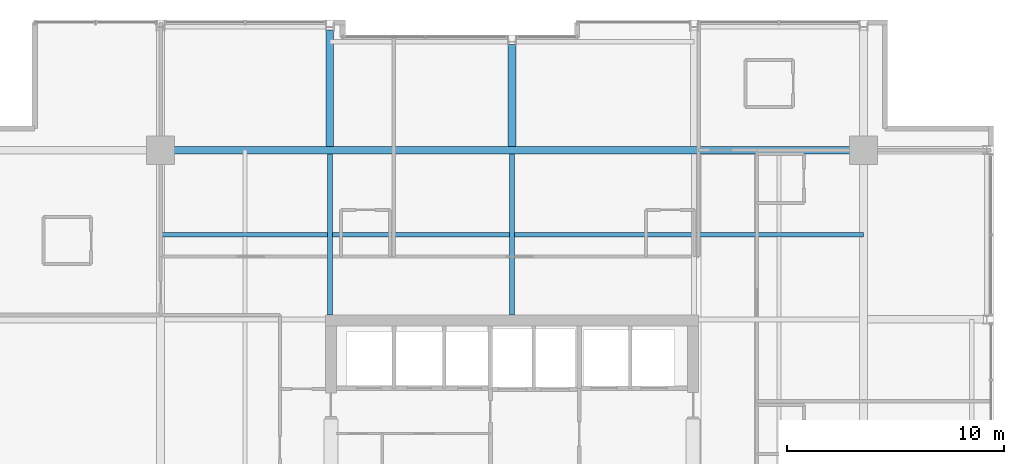
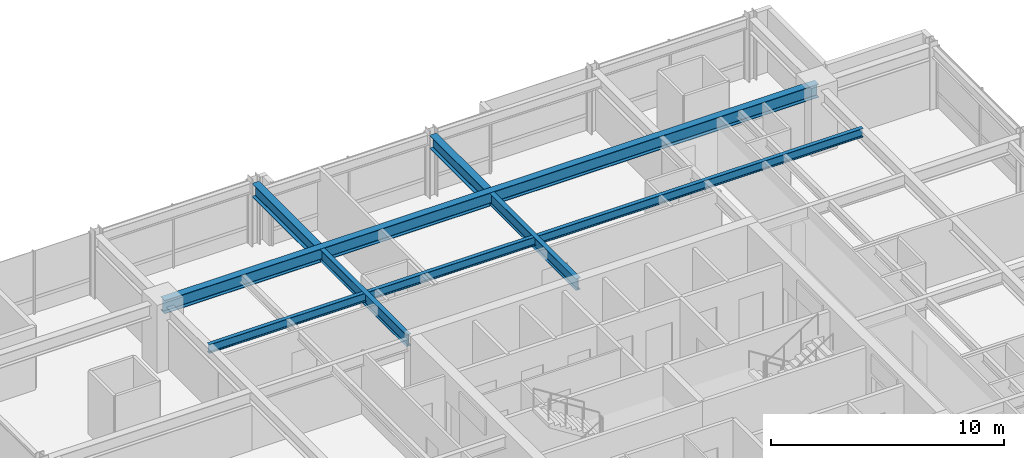
# One storey, part 20 of 32: 6 beams.
"""IFC4 building model written with IfcOpenShell, lengths in metres."""

import ifcopenshell
import ifcopenshell.guid

model = None  # the IFC model being written
_history = None  # IfcOwnerHistory: only IFC2X3 demands one
_inside = {}  # id of a spatial element -> (the spatial element, [elements in it])
_under = {}  # id of a project, library or spatial element -> (it, [spatial elements below it])
_declared = {}  # id of a project -> (the project, [libraries it declares])
_typed = {}  # id of a type object -> (the type object, [elements of that type])
_made_of = {}  # id of a material, layer set ... -> (it, [elements and type objects made of it])


def new_model(schema):
    """Start an empty IFC model of exactly this schema.

    Asked for "IFC4X3", IfcOpenShell would pick the latest addendum, in which some entities
    have other attributes; the version numbers below select the first issue.
    IFC2X3 requires an IfcOwnerHistory on every rooted entity: one is made here for all.
    """
    global model, _history
    if schema == "IFC4X3":
        model = ifcopenshell.file(schema_version=(4, 3, 0, 0))
    else:
        model = ifcopenshell.file(schema=schema)
    _inside.clear()
    _under.clear()
    _declared.clear()
    _typed.clear()
    _made_of.clear()
    _history = None
    if model.schema == "IFC2X3":
        org = make("IfcOrganization", Name="unknown")
        user = make(
            "IfcPersonAndOrganization",
            ThePerson=make("IfcPerson", FamilyName="unknown"),
            TheOrganization=org,
        )
        app = make(
            "IfcApplication",
            ApplicationDeveloper=org,
            Version="unknown",
            ApplicationFullName="unknown",
            ApplicationIdentifier="unknown",
        )
        _history = make(
            "IfcOwnerHistory",
            OwningUser=user,
            OwningApplication=app,
            ChangeAction="ADDED",
            CreationDate=0,
        )
    return model


def make(cls, **values):
    """One entity of the class cls with the attributes given. An attribute that is None is left unset."""
    return model.create_entity(
        cls, **{name: value for name, value in values.items() if value is not None}
    )


def rooted(cls, **values):
    """An entity with a GlobalId (a new one), such as an element, a storey or a relation."""
    return make(cls, GlobalId=ifcopenshell.guid.new(), OwnerHistory=_history, **values)


def si_unit(unit_type, name, prefix=None):
    """IfcSIUnit, for example si_unit("LENGTHUNIT", "METRE", prefix="MILLI")."""
    return make("IfcSIUnit", UnitType=unit_type, Prefix=prefix, Name=name)


def assignment(units):
    """IfcUnitAssignment: the units of a project."""
    return None if units is None else make("IfcUnitAssignment", Units=units)


def point(xyz):
    """IfcCartesianPoint."""
    return None if xyz is None else make("IfcCartesianPoint", Coordinates=xyz)


def direction(xyz):
    """IfcDirection."""
    return None if xyz is None else make("IfcDirection", DirectionRatios=xyz)


def frame(location, z_axis=None, x_axis=None):
    """IfcAxis2Placement3D, a coordinate frame: its origin and axes. An axis left out is left unset."""
    return make(
        "IfcAxis2Placement3D",
        Location=point(location),
        Axis=direction(z_axis),
        RefDirection=direction(x_axis),
    )


def frame_2d(location, x_axis=None):
    """IfcAxis2Placement2D, a coordinate frame in the plane: its origin and x axis."""
    return make(
        "IfcAxis2Placement2D", Location=point(location), RefDirection=direction(x_axis)
    )


def origin():
    """The frame at (0, 0, 0) with its axes left unset."""
    return frame((0.0, 0.0, 0.0))


def origin_2d():
    """The frame at (0, 0) in the plane with its x axis left unset."""
    return frame_2d((0.0, 0.0))


def place(relative_to, where):
    """IfcLocalPlacement: puts the frame where relative to a parent placement (None: the world)."""
    return make(
        "IfcLocalPlacement", PlacementRelTo=relative_to, RelativePlacement=where
    )


def context(
    kind, dimensions, precision=None, world=None, true_north=None, identifier=None
):
    """IfcGeometricRepresentationContext, for example the 3D "Model" context."""
    return make(
        "IfcGeometricRepresentationContext",
        ContextIdentifier=identifier,
        ContextType=kind,
        CoordinateSpaceDimension=dimensions,
        Precision=precision,
        WorldCoordinateSystem=world,
        TrueNorth=true_north,
    )


def subcontext(parent, identifier, kind, view, scale=None):
    """IfcGeometricRepresentationSubContext, for example "Body" below "Model"."""
    return make(
        "IfcGeometricRepresentationSubContext",
        ContextIdentifier=identifier,
        ContextType=kind,
        ParentContext=parent,
        TargetScale=scale,
        TargetView=view,
    )


def project(units=None, contexts=None):
    """IfcProject with its units and contexts."""
    return rooted(
        "IfcProject",
        Name="project",
        RepresentationContexts=contexts,
        UnitsInContext=assignment(units),
    )


def spatial(cls, under=None, at=None, **own):
    """A site, building, storey or space (cls), placed at a placement, below another one or the project."""
    s = rooted(cls, ObjectPlacement=at, **own)
    if under is not None:
        _under.setdefault(under.id(), (under, []))[1].append(s)
    return s


def profile(cls, at=None, kind="AREA", **sizes):
    """A parametric profile (cls). Its sizes go by their IFC names, for example OverallWidth=200.0."""
    return make(cls, ProfileType=kind, Position=at, **sizes)


def i_section(**sizes):
    """IfcIShapeProfileDef."""
    return profile("IfcIShapeProfileDef", **sizes)


def extrude(swept, where, along, depth):
    """IfcExtrudedAreaSolid: the profile swept, set in the frame where, extruded along a direction by depth."""
    return make(
        "IfcExtrudedAreaSolid",
        SweptArea=swept,
        Position=where,
        ExtrudedDirection=direction(along),
        Depth=depth,
    )


def shape(context_of_items, identifier, shape_type, items):
    """IfcShapeRepresentation: the items that make up one representation, for example the "Body"."""
    return make(
        "IfcShapeRepresentation",
        ContextOfItems=context_of_items,
        RepresentationIdentifier=identifier,
        RepresentationType=shape_type,
        Items=items,
    )


def material(Name=None, Category=None):
    """IfcMaterial."""
    return make("IfcMaterial", Name=Name, Category=Category)


def material_profile(
    of_material, cross_section, Name=None, Category=None, Priority=None
):
    """IfcMaterialProfile: a cross section and its material."""
    return make(
        "IfcMaterialProfile",
        Name=Name,
        Material=of_material,
        Profile=cross_section,
        Priority=Priority,
        Category=Category,
    )


def profile_set(profiles, Name=None, composite=None):
    """IfcMaterialProfileSet."""
    return make(
        "IfcMaterialProfileSet",
        Name=Name,
        MaterialProfiles=profiles,
        CompositeProfile=composite,
    )


def made_of(thing, what):
    """Note that an element or type object is made of a material, layer set ...; save() writes the relation."""
    if what is not None:
        _made_of.setdefault(what.id(), (what, []))[1].append(thing)
    return thing


def type_object(cls, material=None, **own):
    """A type object (cls), such as IfcWallType, which elements share."""
    return made_of(rooted(cls, **own), material)


def element(
    cls,
    number,
    at=None,
    inside=None,
    cuts=None,
    type_object=None,
    material=None,
    context=None,
    identifier="Body",
    shape_type=None,
    held_by="IfcProductDefinitionShape",
    body=None,
    shapes=None,
    **own,
):
    """One element of the class cls, such as IfcWall. Its Tag is "e" and its number.

    at: its placement. inside: the storey or other place that contains it. cuts: it is an
    opening in that element (IfcRelVoidsElement). A single representation is given by context,
    identifier, shape_type and body (its items); several are given by shapes. held_by: the class
    of the entity that holds the representations. save() writes the other relations.
    """
    e = rooted(cls, Tag="e%d" % number, ObjectPlacement=at, **own)
    if body is not None:
        shapes = [shape(context, identifier, shape_type, body)]
    if shapes is not None:
        e.Representation = make(held_by, Representations=shapes)
    if inside is not None:
        _inside.setdefault(inside.id(), (inside, []))[1].append(e)
    if cuts is not None:
        rooted(
            "IfcRelVoidsElement", RelatingBuildingElement=cuts, RelatedOpeningElement=e
        )
    if type_object is not None:
        _typed.setdefault(type_object.id(), (type_object, []))[1].append(e)
    return made_of(e, material)


def aggregate(whole, parts):
    """IfcRelAggregates: a whole, such as a stair, and the parts it consists of."""
    return rooted("IfcRelAggregates", RelatingObject=whole, RelatedObjects=parts)


def save(model, path):
    """Write the relations noted so far, then the file.

    IfcRelAggregates (storeys below a building ...), IfcRelContainedInSpatialStructure (elements
    in a storey), IfcRelDefinesByType, IfcRelAssociatesMaterial and IfcRelDeclares: one each for
    every whole, place, type object, material and project.
    """
    for whole, parts in _under.values():
        aggregate(whole, parts)
    for where, things in _inside.values():
        rooted(
            "IfcRelContainedInSpatialStructure",
            RelatedElements=things,
            RelatingStructure=where,
        )
    for kind, things in _typed.values():
        rooted("IfcRelDefinesByType", RelatedObjects=things, RelatingType=kind)
    for what, things in _made_of.values():
        rooted("IfcRelAssociatesMaterial", RelatedObjects=things, RelatingMaterial=what)
    for by, libraries in _declared.values():
        rooted("IfcRelDeclares", RelatingContext=by, RelatedDefinitions=libraries)
    model.write(path)


model = new_model("IFC4")

# Units and contexts
model_context = context("Model", 3, precision=1e-05, world=origin(), true_north=direction((0.0, 1.0)))
body_context = subcontext(model_context, "Body", "Model", "MODEL_VIEW")
ifc_project = project(units=[si_unit("LENGTHUNIT", "METRE"), si_unit("AREAUNIT", "SQUARE_METRE"), si_unit("VOLUMEUNIT", "CUBIC_METRE"), si_unit("PLANEANGLEUNIT", "RADIAN"), si_unit("MASSUNIT", "GRAM", prefix="KILO")], contexts=[model_context])

# Site, building, storey
site_placement = place(None, origin())
site = spatial("IfcSite", under=ifc_project, at=site_placement, CompositionType="ELEMENT")
building_placement = place(site_placement, origin())
building = spatial("IfcBuilding", under=site, at=building_placement, Name="Drelvath Grand Hotel", CompositionType="ELEMENT")
storey_placement = place(building_placement, frame((0.0, 0.0, 164.60009765625)))
storey = spatial("IfcBuildingStorey", under=building, at=storey_placement, Name="L42", CompositionType="ELEMENT", Elevation=164.60009765625)

# Beams
ifc_material = material(Name="Steel ASTM A992 Gr 50", Category="steel")
ifc_material_profile_1 = material_profile(ifc_material, i_section(OverallWidth=0.19140625, OverallDepth=0.4599609375, WebThickness=0.010009765625, FlangeThickness=0.01611328125, FilletRadius=0.01611328125, at=origin_2d()), Name="W18X55")
ifc_profile_set_1 = profile_set([ifc_material_profile_1], Name="Steel ASTM A992 Gr 50")
beam_type_1 = type_object("IfcBeamType", Name="Composite Floor Joist W18X55", PredefinedType="JOIST", material=ifc_profile_set_1)
beam_1_placement = place(storey_placement, frame((-16.199951171875, 39.300048828125, 3.059814453125), z_axis=(1.0, 0.0, 0.0), x_axis=(0.0, 1.0, 0.0)))
element("IfcBeam", 1, at=beam_1_placement, inside=storey, type_object=beam_type_1, Name="L42 Floor Joist J2", PredefinedType="JOIST", context=body_context, shape_type="SweptSolid", body=[
    extrude(i_section(OverallWidth=0.19140625, OverallDepth=0.4599609375, WebThickness=0.010009765625, FlangeThickness=0.01611328125, FilletRadius=0.01611328125, at=origin_2d()), origin(), (0.0, 0.0, 1.0), 32.39990234375),
])
ifc_material_profile_2 = material_profile(ifc_material, i_section(OverallWidth=0.228271484375, OverallDepth=0.607666015625, WebThickness=0.01123046875, FlangeThickness=0.017333984375, FilletRadius=0.02001953125, at=origin_2d()), Name="W24X76")
ifc_profile_set_2 = profile_set([ifc_material_profile_2], Name="Steel ASTM A992 Gr 50")
beam_type_2 = type_object("IfcBeamType", Name="Primary Floor Girder W24X76", PredefinedType="BEAM", material=ifc_profile_set_2)
for number, where, z_axis, x_axis, name in (
    (2, (-8.39990234375, 35.60009765625, 2.986083984375), (0.0, 1.0, 0.0), (-1.0, 0.0, 0.0), "L42 North Core Tie 4"),
    (3, (0.0, 35.60009765625, 2.986083984375), (0.0, 1.0, 0.0), (-1.0, 0.0, 0.0), "L42 North Core Tie 5"),
):
    element("IfcBeam", number, at=place(storey_placement, frame(where, z_axis=z_axis, x_axis=x_axis)), inside=storey, type_object=beam_type_2, Name=name, PredefinedType="BEAM", context=body_context, shape_type="SweptSolid", body=[
        extrude(i_section(OverallWidth=0.228271484375, OverallDepth=0.607666015625, WebThickness=0.01123046875, FlangeThickness=0.017333984375, FilletRadius=0.02001953125, at=origin_2d()), origin(), (0.0, 0.0, 1.0), 7.422607421875),
    ])
ifc_material_profile_3 = material_profile(ifc_material, i_section(OverallWidth=0.354736328125, OverallDepth=0.695556640625, WebThickness=0.015380859375, FlangeThickness=0.025146484375, FilletRadius=0.02392578125, at=origin_2d()), Name="W27X146")
ifc_profile_set_3 = profile_set([ifc_material_profile_3], Name="Steel ASTM A992 Gr 50")
beam_type_3 = type_object("IfcBeamType", Name="Primary Floor Girder W27X146", PredefinedType="BEAM", material=ifc_profile_set_3)
beam_2_placement = place(storey_placement, frame((-16.199951171875, 43.199951171875, 2.942138671875), z_axis=(1.0, 0.0, 0.0), x_axis=(0.0, 1.0, 0.0)))
element("IfcBeam", 4, at=beam_2_placement, inside=storey, type_object=beam_type_3, Name="L42 Mega Ring Girder North", PredefinedType="BEAM", context=body_context, shape_type="SweptSolid", body=[
    extrude(i_section(OverallWidth=0.354736328125, OverallDepth=0.695556640625, WebThickness=0.015380859375, FlangeThickness=0.025146484375, FilletRadius=0.02392578125, at=origin_2d()), origin(), (0.0, 0.0, 1.0), 32.39990234375),
])
beam_3_placement = place(storey_placement, frame((-8.39990234375, 43.37744140625, 2.942138671875), z_axis=(0.0, 1.0, 0.0), x_axis=(-1.0, 0.0, 0.0)))
element("IfcBeam", 5, at=beam_3_placement, inside=storey, type_object=beam_type_3, Name="L42 North Wing Girder 4", PredefinedType="BEAM", context=body_context, shape_type="SweptSolid", body=[
    extrude(i_section(OverallWidth=0.354736328125, OverallDepth=0.695556640625, WebThickness=0.015380859375, FlangeThickness=0.025146484375, FilletRadius=0.02392578125, at=origin_2d()), origin(), (0.0, 0.0, 1.0), 5.362548828125),
])
beam_4_placement = place(storey_placement, frame((0.0, 43.37744140625, 2.942138671875), z_axis=(0.0, 1.0, 0.0), x_axis=(-1.0, 0.0, 0.0)))
element("IfcBeam", 6, at=beam_4_placement, inside=storey, type_object=beam_type_3, Name="L42 North Wing Girder 5", PredefinedType="BEAM", context=body_context, shape_type="SweptSolid", body=[
    extrude(i_section(OverallWidth=0.354736328125, OverallDepth=0.695556640625, WebThickness=0.015380859375, FlangeThickness=0.025146484375, FilletRadius=0.02392578125, at=origin_2d()), origin(), (0.0, 0.0, 1.0), 4.6826171875),
])

save(model, "model.ifc")
